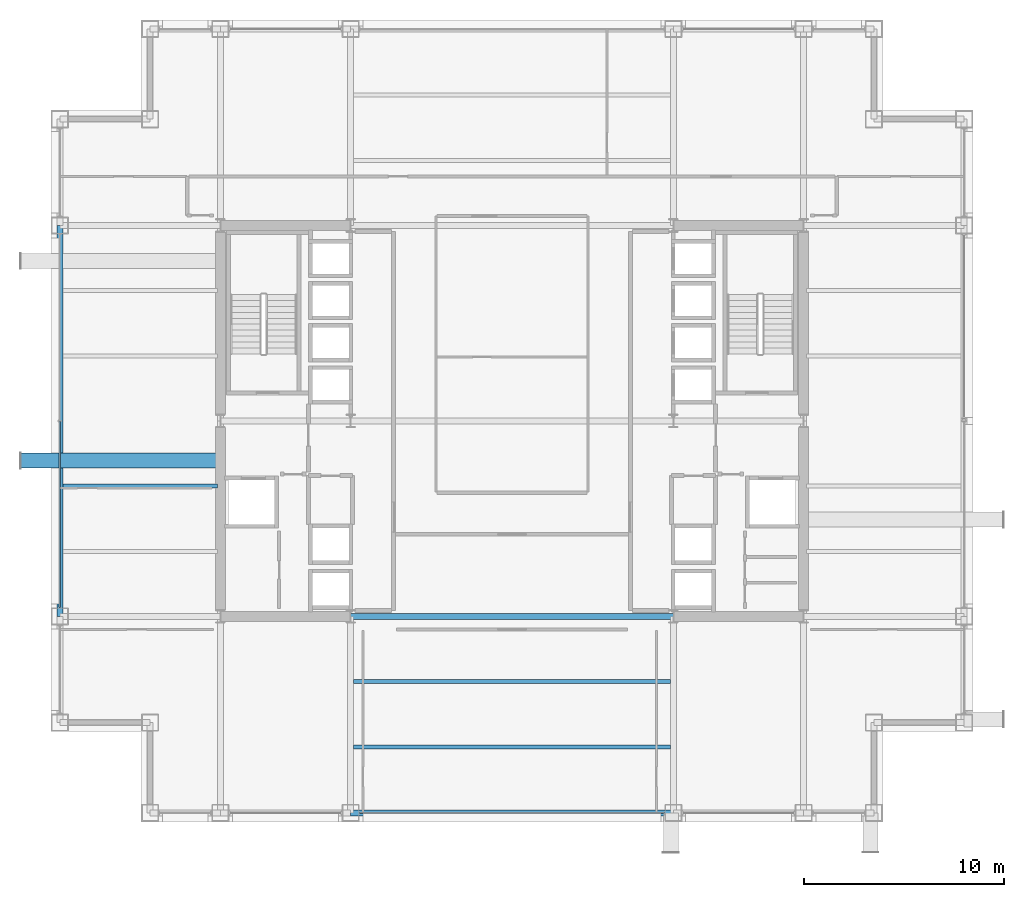
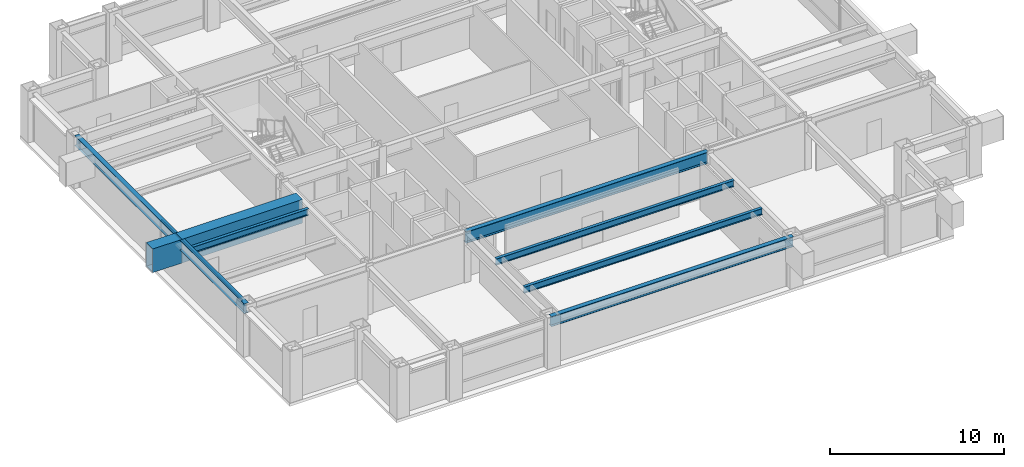
# One storey, part 5 of 28: 8 beams, 2 members, 2 elements without a shape of their own.
"""IFC4 building model written with IfcOpenShell, lengths in metres."""

from ifc_helpers import new_model, si_unit, direction, frame, origin, origin_2d, place, context, subcontext, project, spatial, hollow_rectangle, i_section, extrude, material, layer, layer_set, material_profile, profile_set, type_object, element, aggregate, save


model = new_model("IFC4")

# Units and contexts
model_context = context("Model", 3, precision=1e-05, world=origin(), true_north=direction((0.0, 1.0)))
body_context = subcontext(model_context, "Body", "Model", "MODEL_VIEW")
ifc_project = project(units=[si_unit("LENGTHUNIT", "METRE"), si_unit("AREAUNIT", "SQUARE_METRE"), si_unit("VOLUMEUNIT", "CUBIC_METRE"), si_unit("PLANEANGLEUNIT", "RADIAN"), si_unit("MASSUNIT", "GRAM", prefix="KILO")], contexts=[model_context])

# Site, building, storey
site_placement = place(None, origin())
site = spatial("IfcSite", under=ifc_project, at=site_placement, CompositionType="ELEMENT")
building_placement = place(site_placement, origin())
building = spatial("IfcBuilding", under=site, at=building_placement, Name="Brelmoor Portico Tower", CompositionType="ELEMENT")
storey_placement = place(building_placement, frame((0.0, 0.0, 91.800048828125)))
storey = spatial("IfcBuildingStorey", under=building, at=storey_placement, Name="L23", CompositionType="ELEMENT", Elevation=91.800048828125)

# Beams
ifc_material_1 = material(Name="Steel Q355B", Category="steel")
ifc_material_profile_1 = material_profile(ifc_material_1, i_section(OverallWidth=0.199951171875, OverallDepth=0.449951171875, WebThickness=0.009033203125, FlangeThickness=0.013916015625, at=origin_2d()), Name="HN 450x200x9x14")
ifc_profile_set_1 = profile_set([ifc_material_profile_1], Name="Steel Q355B")
beam_type_1 = type_object("IfcBeamType", Name="BM-JS-450", PredefinedType="JOIST", material=ifc_profile_set_1)
for number, where, z_axis, x_axis, name in (
    (1, (-7.89990234375, -16.25, 3.175048828125), (1.0, 0.0, 0.0), (0.0, 1.0, 0.0), "L23 Secondary Composite Joist JS-C01"),
    (2, (-7.89990234375, -13.0, 3.175048828125), (1.0, 0.0, 0.0), (0.0, 1.0, 0.0), "L23 Secondary Composite Joist JS-C02"),
):
    element("IfcBeam", number, at=place(storey_placement, frame(where, z_axis=z_axis, x_axis=x_axis)), inside=storey, type_object=beam_type_1, Name=name, PredefinedType="JOIST", context=body_context, shape_type="SweptSolid", body=[
        extrude(i_section(OverallWidth=0.199951171875, OverallDepth=0.449951171875, WebThickness=0.009033203125, FlangeThickness=0.013916015625, at=origin_2d()), origin(), (0.0, 0.0, 1.0), 15.7998046875),
    ])
beam_1_placement = place(storey_placement, frame((-22.39990234375, -3.25, 3.175048828125), z_axis=(1.0, 0.0, 0.0), x_axis=(0.0, 1.0, 0.0)))
element("IfcBeam", 3, at=beam_1_placement, inside=storey, type_object=beam_type_1, Name="L23 Secondary Wing Joist JS-W06", PredefinedType="JOIST", context=body_context, shape_type="SweptSolid", body=[
    extrude(i_section(OverallWidth=0.199951171875, OverallDepth=0.449951171875, WebThickness=0.009033203125, FlangeThickness=0.013916015625, at=origin_2d()), origin(), (0.0, 0.0, 1.0), 7.699951171875),
])
ifc_material_profile_2 = material_profile(ifc_material_1, hollow_rectangle(XDim=0.75, YDim=1.659912109375, WallThickness=0.0419921875, at=origin_2d()), Name="BOX 750x1660x42")
ifc_profile_set_2 = profile_set([ifc_material_profile_2], Name="Steel Q355B")
beam_type_2 = type_object("IfcBeamType", Name="BM-PF-CANT", PredefinedType="BEAM", material=ifc_profile_set_2)
beam_2_placement = place(storey_placement, frame((-24.5, -1.97998046875, 2.570068359375), z_axis=(1.0, 0.0, 0.0), x_axis=(0.0, 1.0, 0.0)))
element("IfcBeam", 4, at=beam_2_placement, inside=storey, type_object=beam_type_2, Name="L23 Picture-Frame Outrigger Transfer Cantilever PFB-05", PredefinedType="BEAM", context=body_context, shape_type="SweptSolid", body=[
    extrude(hollow_rectangle(XDim=0.75, YDim=1.659912109375, WallThickness=0.0419921875, at=origin_2d()), origin(), (0.0, 0.0, 1.0), 1.949951171875),
])
ifc_material_profile_3 = material_profile(ifc_material_1, i_section(OverallWidth=0.300048828125, OverallDepth=0.800048828125, WebThickness=0.013916015625, FlangeThickness=0.02587890625, at=origin_2d()), Name="HN 800x300x14x26")
ifc_profile_set_3 = profile_set([ifc_material_profile_3], Name="Steel Q355B")
beam_type_3 = type_object("IfcBeamType", Name="BM-PG-800", PredefinedType="BEAM", material=ifc_profile_set_3)
beam_3_placement = place(storey_placement, frame((-8.050048828125, -9.75, 3.0), z_axis=(1.0, 0.0, 0.0), x_axis=(0.0, 1.0, 0.0)))
element("IfcBeam", 5, at=beam_3_placement, inside=storey, type_object=beam_type_3, Name="L23 Primary Floor Girder PG-15", PredefinedType="BEAM", context=body_context, shape_type="SweptSolid", body=[
    extrude(i_section(OverallWidth=0.300048828125, OverallDepth=0.800048828125, WebThickness=0.013916015625, FlangeThickness=0.02587890625, at=origin_2d()), origin(), (0.0, 0.0, 1.0), 16.10009765625),
])
ifc_material_profile_4 = material_profile(ifc_material_1, i_section(OverallWidth=0.300048828125, OverallDepth=0.699951171875, WebThickness=0.012939453125, FlangeThickness=0.02392578125, at=origin_2d()), Name="HN 700x300x13x24")
ifc_profile_set_4 = profile_set([ifc_material_profile_4], Name="Steel Q355B")
beam_type_4 = type_object("IfcBeamType", Name="BM-SP-700", PredefinedType="SPANDREL", material=ifc_profile_set_4)
beam_4_placement = place(storey_placement, frame((-8.050048828125, -19.550048828125, 3.050048828125), z_axis=(1.0, 0.0, 0.0), x_axis=(0.0, 1.0, 0.0)))
element("IfcBeam", 6, at=beam_4_placement, inside=storey, type_object=beam_type_4, Name="L23 Perimeter Spandrel Beam SP-03", PredefinedType="SPANDREL", context=body_context, shape_type="SweptSolid", body=[
    extrude(i_section(OverallWidth=0.300048828125, OverallDepth=0.699951171875, WebThickness=0.012939453125, FlangeThickness=0.02392578125, at=origin_2d()), origin(), (0.0, 0.0, 1.0), 16.10009765625),
])
beam_5_placement = place(storey_placement, frame((-22.550048828125, -9.75, 3.050048828125), z_axis=(0.0, 1.0, 0.0), x_axis=(-1.0, 0.0, 0.0)))
element("IfcBeam", 7, at=beam_5_placement, inside=storey, type_object=beam_type_4, Name="L23 Perimeter Spandrel Beam SP-16", PredefinedType="SPANDREL", context=body_context, shape_type="SweptSolid", body=[
    extrude(i_section(OverallWidth=0.300048828125, OverallDepth=0.699951171875, WebThickness=0.012939453125, FlangeThickness=0.02392578125, at=origin_2d()), origin(), (0.0, 0.0, 1.0), 19.5),
])
ifc_material_profile_5 = material_profile(ifc_material_1, hollow_rectangle(XDim=0.75, YDim=1.659912109375, WallThickness=0.0419921875, at=origin_2d()), Name="BOX 750x1660x42")
ifc_profile_set_5 = profile_set([ifc_material_profile_5], Name="Steel Q355B")
beam_type_5 = type_object("IfcBeamType", Name="BM-TG-Z2", PredefinedType="BEAM", material=ifc_profile_set_5)
beam_6_placement = place(storey_placement, frame((-22.550048828125, -1.97998046875, 2.570068359375), z_axis=(1.0, 0.0, 0.0), x_axis=(0.0, 1.0, 0.0)))
element("IfcBeam", 8, at=beam_6_placement, inside=storey, type_object=beam_type_5, Name="L23 Picture-Frame Backspan Transfer Girder PFBS-05", PredefinedType="BEAM", context=body_context, shape_type="SweptSolid", body=[
    extrude(hollow_rectangle(XDim=0.75, YDim=1.659912109375, WallThickness=0.0419921875, at=origin_2d()), origin(), (0.0, 0.0, 1.0), 8.0),
])

# Curtain wall, member
ifc_material_2 = material(Name="Anodised Aluminium Alloy 6063-T6", Category="aluminium")
ifc_layer = layer(ifc_material_2, 0.179931640625)
ifc_layer_set = layer_set([ifc_layer], Name="Anodised Aluminium Alloy 6063-T6")
curtain_wall_type = type_object("IfcCurtainWallType", Name="CW-TOWER-Z2-XB", PredefinedType="NOTDEFINED", material=ifc_layer_set)
curtain_wall_1_placement = place(storey_placement, origin())
curtain_wall_1 = element("IfcCurtainWall", 9, at=curtain_wall_1_placement, inside=storey, type_object=curtain_wall_type, Name="L23 Curtain Wall CW-L23-01-3", PredefinedType="NOTDEFINED")
ifc_material_profile_6 = material_profile(ifc_material_2, hollow_rectangle(XDim=0.06494140625, YDim=0.139892578125, WallThickness=0.00390625, at=origin_2d()), Name="ALU TRANSOM 65x140")
ifc_profile_set_6 = profile_set([ifc_material_profile_6], Name="Anodised Aluminium Alloy 6063-T6")
member_type = type_object("IfcMemberType", Name="MB-CW-TRAN-140", PredefinedType="USERDEFINED", material=ifc_profile_set_6)
member_1_placement = place(storey_placement, frame((-7.614990234375, -19.550048828125, 3.329833984375), z_axis=(1.0, 0.0, 0.0), x_axis=(0.0, 1.0, 0.0)))
member_1 = element("IfcMember", 10, at=member_1_placement, type_object=member_type, Name="CW-L23-01-3 Transom 1-00", ObjectType="TRANSOM", PredefinedType="USERDEFINED", context=body_context, shape_type="SweptSolid", body=[
    extrude(hollow_rectangle(XDim=0.06494140625, YDim=0.139892578125, WallThickness=0.00390625, at=origin_2d()), origin(), (0.0, 0.0, 1.0), 15.22998046875),
])
aggregate(curtain_wall_1, [member_1])

curtain_wall_2_placement = place(storey_placement, origin())
curtain_wall_2 = element("IfcCurtainWall", 11, at=curtain_wall_2_placement, inside=storey, type_object=curtain_wall_type, Name="L23 Curtain Wall CW-L23-03-2", PredefinedType="NOTDEFINED")
member_2_placement = place(storey_placement, frame((-22.550048828125, -9.31494140625, 3.329833984375), z_axis=(0.0, 1.0, 0.0), x_axis=(-1.0, 0.0, 0.0)))
member_2 = element("IfcMember", 12, at=member_2_placement, type_object=member_type, Name="CW-L23-03-2 Transom 1-00", ObjectType="TRANSOM", PredefinedType="USERDEFINED", context=body_context, shape_type="SweptSolid", body=[
    extrude(hollow_rectangle(XDim=0.06494140625, YDim=0.139892578125, WallThickness=0.00390625, at=origin_2d()), origin(), (0.0, 0.0, 1.0), 9.31494140625),
])
aggregate(curtain_wall_2, [member_2])

save(model, "model.ifc")
